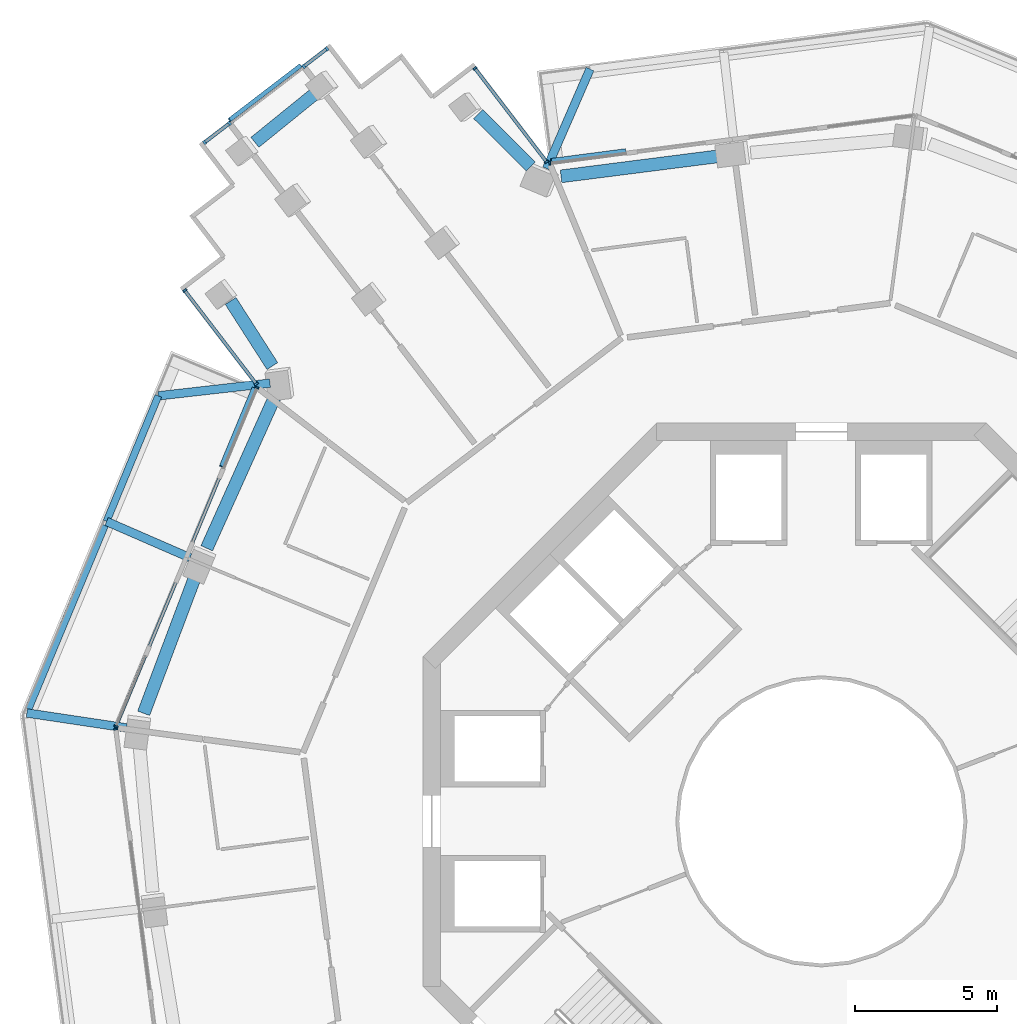
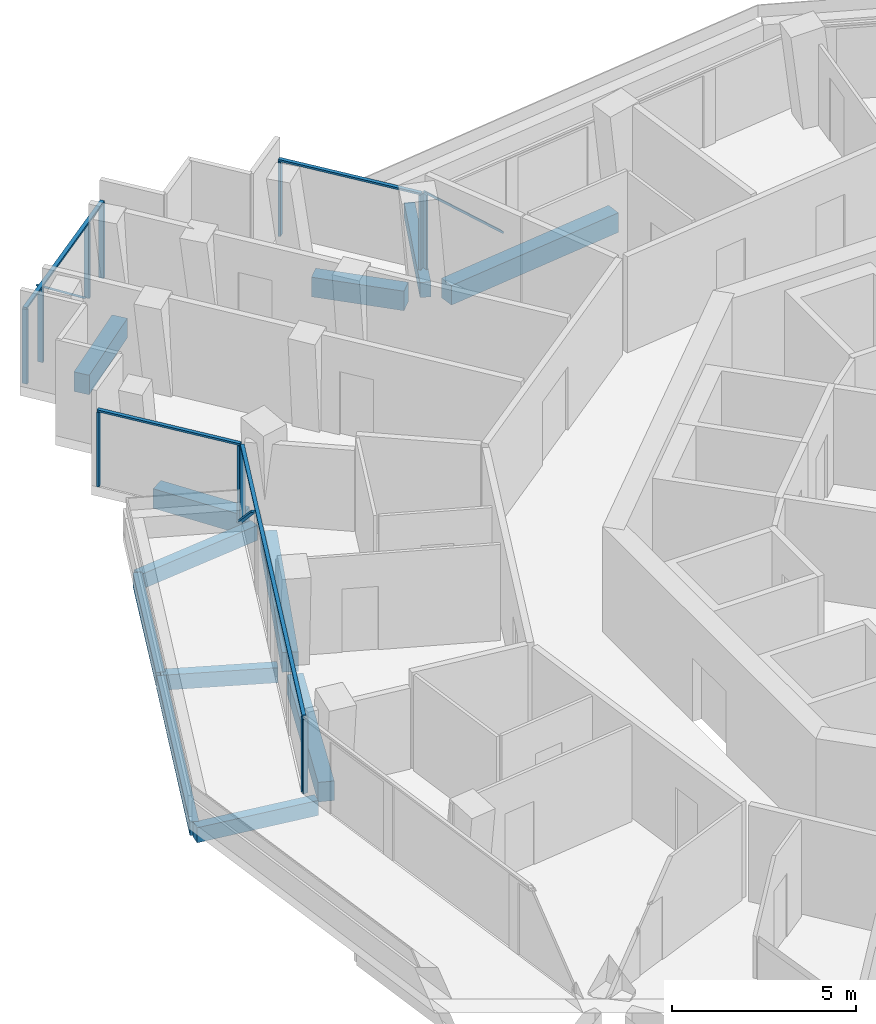
# One storey, part 7 of 25: 19 members, 12 beams, 6 elements without a shape of their own.
"""IFC4 building model written with IfcOpenShell, lengths in metres."""

from ifc_helpers import new_model, si_unit, direction, frame, origin, origin_2d, place, context, subcontext, project, spatial, rectangle, extrude, material, layer, layer_set, material_profile, profile_set, type_object, element, aggregate, save


model = new_model("IFC4")

# Units and contexts
model_context = context("Model", 3, precision=1e-05, world=origin(), true_north=direction((0.0, 1.0)))
body_context = subcontext(model_context, "Body", "Model", "MODEL_VIEW")
ifc_project = project(units=[si_unit("LENGTHUNIT", "METRE"), si_unit("AREAUNIT", "SQUARE_METRE"), si_unit("VOLUMEUNIT", "CUBIC_METRE"), si_unit("PLANEANGLEUNIT", "RADIAN"), si_unit("MASSUNIT", "GRAM", prefix="KILO")], contexts=[model_context])

# Site, building, storey
site_placement = place(None, origin())
site = spatial("IfcSite", under=ifc_project, at=site_placement, CompositionType="ELEMENT")
building_placement = place(site_placement, origin())
building = spatial("IfcBuilding", under=site, at=building_placement, Name="Verdalira Terraces Hotel", CompositionType="ELEMENT")
storey_placement = place(building_placement, frame((0.0, 0.0, 187.0)))
storey = spatial("IfcBuildingStorey", under=building, at=storey_placement, Name="L45", CompositionType="ELEMENT", Elevation=187.0)

# Beams
ifc_material_1 = material(Name="Concrete C40", Category="concrete")
ifc_material_profile_1 = material_profile(ifc_material_1, rectangle(XDim=0.300049, YDim=0.5, at=origin_2d()), Name="RC 300X500")
ifc_profile_set_1 = profile_set([ifc_material_profile_1], Name="Concrete C40")
beam_type_1 = type_object("IfcBeamType", Name="Balcony cantilever beam RC 300X500 C40", PredefinedType="BEAM", material=ifc_profile_set_1)
beam_1_placement = place(storey_placement, frame((-19.389404, 15.408691, -0.560059), z_axis=(-0.993617856, -0.112798743, 0.0), x_axis=(0.112798743, -0.993617856, 0.0)))
element("IfcBeam", 1, at=beam_1_placement, inside=storey, type_object=beam_type_1, Name="Balcony cantilever beam R11-3", PredefinedType="BEAM", context=body_context, shape_type="SweptSolid", body=[
    extrude(rectangle(XDim=0.300049, YDim=0.5, at=origin_2d()), origin(), (0.0, 0.0, 1.0), 3.949951),
])
beam_2_placement = place(storey_placement, frame((-22.200928, 9.268555, -0.560059), z_axis=(-0.916929341, 0.399049602, 0.0), x_axis=(-0.399049602, -0.916929341, 0.0)))
element("IfcBeam", 2, at=beam_2_placement, inside=storey, type_object=beam_type_1, Name="Balcony cantilever beam R11-4", PredefinedType="BEAM", context=body_context, shape_type="SweptSolid", body=[
    extrude(rectangle(XDim=0.300049, YDim=0.5, at=origin_2d()), origin(), (0.0, 0.0, 1.0), 3.200928),
])
beam_3_placement = place(storey_placement, frame((-24.43457, 3.285889, -0.560059), z_axis=(-0.98896513, 0.148148478, 0.0), x_axis=(-0.148148478, -0.98896513, 0.0)))
element("IfcBeam", 3, at=beam_3_placement, inside=storey, type_object=beam_type_1, Name="Balcony cantilever beam R11-5", PredefinedType="BEAM", context=body_context, shape_type="SweptSolid", body=[
    extrude(rectangle(XDim=0.300049, YDim=0.5, at=origin_2d()), origin(), (0.0, 0.0, 1.0), 3.544678),
])
beam_4_placement = place(storey_placement, frame((-9.658936, 22.953613, -0.560059), z_axis=(0.399057933, 0.916925715, 0.0), x_axis=(-0.916925715, 0.399057933, 0.0)))
element("IfcBeam", 4, at=beam_4_placement, inside=storey, type_object=beam_type_1, Name="Balcony cantilever beam R40-5", PredefinedType="BEAM", context=body_context, shape_type="SweptSolid", body=[
    extrude(rectangle(XDim=0.300049, YDim=0.5, at=origin_2d()), origin(), (0.0, 0.0, 1.0), 3.820068),
])
ifc_material_2 = material(Name="Concrete C40", Category="concrete")
ifc_material_profile_2 = material_profile(ifc_material_2, rectangle(XDim=0.25, YDim=0.449951, at=origin_2d()), Name="RC 250X450")
ifc_profile_set_2 = profile_set([ifc_material_profile_2], Name="Concrete C40")
beam_type_2 = type_object("IfcBeamType", Name="Balcony edge beam RC 250X450 C40", PredefinedType="BEAM", material=ifc_profile_set_2)
beam_5_placement = place(storey_placement, frame((-23.314209, 14.963135, -0.534912), z_axis=(-0.381271428, -0.92446314, 0.0), x_axis=(0.92446314, -0.381271428, 0.0)))
element("IfcBeam", 5, at=beam_5_placement, inside=storey, type_object=beam_type_2, Name="Balcony edge beam R11-2", PredefinedType="BEAM", context=body_context, shape_type="SweptSolid", body=[
    extrude(rectangle(XDim=0.25, YDim=0.449951, at=origin_2d()), origin(), (0.0, 0.0, 1.0), 4.778076),
])
beam_6_placement = place(storey_placement, frame((-25.193604, 10.407227, -0.534912), z_axis=(-0.384384744, -0.92317299, 0.0), x_axis=(0.92317299, -0.384384744, 0.0)))
element("IfcBeam", 6, at=beam_6_placement, inside=storey, type_object=beam_type_2, Name="Balcony edge beam R11-3", PredefinedType="BEAM", context=body_context, shape_type="SweptSolid", body=[
    extrude(rectangle(XDim=0.25, YDim=0.449951, at=origin_2d()), origin(), (0.0, 0.0, 1.0), 6.990479),
])

# Curtain wall, members
ifc_material_3 = material(Name="Clear glass", Category="glass")
ifc_layer_1 = layer(ifc_material_3, 0.14990234375)
ifc_layer_set_1 = layer_set([ifc_layer_1], Name="CW1 curtain wall")
curtain_wall_type_1 = type_object("IfcCurtainWallType", Name="CW1 curtain wall", PredefinedType="NOTDEFINED", material=ifc_layer_set_1)
curtain_wall_1_placement = place(storey_placement, origin())
curtain_wall_1 = element("IfcCurtainWall", 7, at=curtain_wall_1_placement, inside=storey, type_object=curtain_wall_type_1, Name="CW1 curtain wall L45 edge 11", PredefinedType="NOTDEFINED")
ifc_material_4 = material(Name="Terracotta frame", Category="masonry")
ifc_material_profile_3 = material_profile(ifc_material_4, rectangle(XDim=0.060059, YDim=0.149902, at=origin_2d()), Name="MU 60x150")
ifc_profile_set_3 = profile_set([ifc_material_profile_3], Name="Terracotta frame")
member_type_1 = type_object("IfcMemberType", Name="CW1 mullion 60x150", PredefinedType="MULLION", material=ifc_profile_set_3)
member_1_placement = place(storey_placement, frame((-19.850586, 15.25293, 0.0), z_axis=(0.0, 0.0, 1.0), x_axis=(-0.383650707, -0.923478281, 0.0)))
member_1 = element("IfcMember", 8, at=member_1_placement, type_object=member_type_1, Name="CW1 mullion", PredefinedType="MULLION", context=body_context, shape_type="SweptSolid", body=[
    extrude(rectangle(XDim=0.060059, YDim=0.149902, at=origin_2d()), origin(), (0.0, 0.0, 1.0), 2.475098),
])
member_2_placement = place(storey_placement, frame((-24.799561, 3.340088, 0.0), z_axis=(0.0, 0.0, 1.0), x_axis=(-0.383650707, -0.923478281, 0.0)))
member_2 = element("IfcMember", 9, at=member_2_placement, type_object=member_type_1, Name="CW1 mullion", PredefinedType="MULLION", context=body_context, shape_type="SweptSolid", body=[
    extrude(rectangle(XDim=0.060059, YDim=0.149902, at=origin_2d()), origin(), (0.0, 0.0, 1.0), 2.475098),
])

# Curtain wall, member
curtain_wall_2_placement = place(storey_placement, origin())
curtain_wall_2 = element("IfcCurtainWall", 10, at=curtain_wall_2_placement, inside=storey, type_object=curtain_wall_type_1, Name="CW1 curtain wall L45 edge 12", PredefinedType="NOTDEFINED")
member_3_placement = place(storey_placement, frame((-24.812256, 3.244141, 0.0), z_axis=(0.0, 0.0, 1.0), x_axis=(0.129487882, -0.991581004, 0.0)))
member_3 = element("IfcMember", 11, at=member_3_placement, type_object=member_type_1, Name="CW1 mullion", PredefinedType="MULLION", context=body_context, shape_type="SweptSolid", body=[
    extrude(rectangle(XDim=0.060059, YDim=0.149902, at=origin_2d()), origin(), (0.0, 0.0, 1.0), 2.475098),
])
aggregate(curtain_wall_2, [member_3])

curtain_wall_3_placement = place(storey_placement, origin())
curtain_wall_3 = element("IfcCurtainWall", 12, at=curtain_wall_3_placement, inside=storey, type_object=curtain_wall_type_1, Name="CW1 curtain wall L45 edge 41", PredefinedType="NOTDEFINED")
member_4_placement = place(storey_placement, frame((-9.546875, 23.141846, 0.0), z_axis=(0.0, 0.0, 1.0), x_axis=(-0.991581004, -0.129487882, 0.0)))
member_4 = element("IfcMember", 13, at=member_4_placement, type_object=member_type_1, Name="CW1 mullion", PredefinedType="MULLION", context=body_context, shape_type="SweptSolid", body=[
    extrude(rectangle(XDim=0.060059, YDim=0.149902, at=origin_2d()), origin(), (0.0, 0.0, 1.0), 2.475098),
])

# Member
ifc_material_5 = material(Name="Terracotta frame", Category="masonry")
ifc_material_profile_4 = material_profile(ifc_material_5, rectangle(XDim=0.110107, YDim=0.064941, at=origin_2d()), Name="TR 65x110")
ifc_profile_set_4 = profile_set([ifc_material_profile_4], Name="Terracotta frame")
member_type_2 = type_object("IfcMemberType", Name="CW1 transom 65x110", PredefinedType="USERDEFINED", material=ifc_profile_set_4)
member_5_placement = place(storey_placement, frame((-19.839111, 15.280518, 2.507568), z_axis=(-0.383645381, -0.923480493, 0.0), x_axis=(0.923480493, -0.383645381, 0.0)))
member_5 = element("IfcMember", 14, at=member_5_placement, type_object=member_type_2, Name="CW1 transom", ObjectType="TRANSOM", PredefinedType="USERDEFINED", context=body_context, shape_type="SweptSolid", body=[
    extrude(rectangle(XDim=0.110107, YDim=0.064941, at=origin_2d()), origin(), (0.0, 0.0, 1.0), 12.959717),
])

# Curtain wall, members
ifc_material_6 = material(Name="Clear glass", Category="glass")
ifc_layer_2 = layer(ifc_material_6, 0.14990234375)
ifc_layer_set_2 = layer_set([ifc_layer_2], Name="CW2 curtain wall")
curtain_wall_type_2 = type_object("IfcCurtainWallType", Name="CW2 curtain wall", PredefinedType="NOTDEFINED", material=ifc_layer_set_2)
curtain_wall_4_placement = place(storey_placement, origin())
curtain_wall_4 = element("IfcCurtainWall", 15, at=curtain_wall_4_placement, inside=storey, type_object=curtain_wall_type_2, Name="CW2 curtain wall L45 edge 0", PredefinedType="NOTDEFINED")
ifc_material_7 = material(Name="Terracotta frame", Category="masonry")
ifc_material_profile_5 = material_profile(ifc_material_7, rectangle(XDim=0.070068, YDim=0.149902, at=origin_2d()), Name="MU 70x150")
ifc_profile_set_5 = profile_set([ifc_material_profile_5], Name="Terracotta frame")
member_type_3 = type_object("IfcMemberType", Name="CW2 mullion 70x150", PredefinedType="MULLION", material=ifc_profile_set_5)
member_6_placement = place(storey_placement, frame((-9.667236, 23.19458, 0.0), z_axis=(0.0, 0.0, 1.0), x_axis=(-0.607930298, 0.793990399, 0.0)))
member_6 = element("IfcMember", 16, at=member_6_placement, type_object=member_type_3, Name="CW2 mullion", PredefinedType="MULLION", context=body_context, shape_type="SweptSolid", body=[
    extrude(rectangle(XDim=0.070068, YDim=0.149902, at=origin_2d()), origin(), (0.0, 0.0, 1.0), 2.475098),
])
member_7_placement = place(storey_placement, frame((-12.182861, 26.47998, 0.0), z_axis=(0.0, 0.0, 1.0), x_axis=(-0.607930298, 0.793990399, 0.0)))
member_7 = element("IfcMember", 17, at=member_7_placement, type_object=member_type_3, Name="CW2 mullion", PredefinedType="MULLION", context=body_context, shape_type="SweptSolid", body=[
    extrude(rectangle(XDim=0.070068, YDim=0.149902, at=origin_2d()), origin(), (0.0, 0.0, 1.0), 2.475098),
])

curtain_wall_5_placement = place(storey_placement, origin())
curtain_wall_5 = element("IfcCurtainWall", 18, at=curtain_wall_5_placement, inside=storey, type_object=curtain_wall_type_2, Name="CW2 curtain wall L45 edge 10", PredefinedType="NOTDEFINED")
member_8_placement = place(storey_placement, frame((-22.385498, 18.668213, 0.0), z_axis=(0.0, 0.0, 1.0), x_axis=(0.607930298, -0.793990399, 0.0)))
member_8 = element("IfcMember", 19, at=member_8_placement, type_object=member_type_3, Name="CW2 mullion", PredefinedType="MULLION", context=body_context, shape_type="SweptSolid", body=[
    extrude(rectangle(XDim=0.070068, YDim=0.149902, at=origin_2d()), origin(), (0.0, 0.0, 1.0), 2.475098),
])
member_9_placement = place(storey_placement, frame((-19.870117, 15.382812, 0.0), z_axis=(0.0, 0.0, 1.0), x_axis=(0.607930298, -0.793990399, 0.0)))
member_9 = element("IfcMember", 20, at=member_9_placement, type_object=member_type_3, Name="CW2 mullion", PredefinedType="MULLION", context=body_context, shape_type="SweptSolid", body=[
    extrude(rectangle(XDim=0.070068, YDim=0.149902, at=origin_2d()), origin(), (0.0, 0.0, 1.0), 2.475098),
])

# Member
ifc_material_8 = material(Name="Terracotta frame", Category="masonry")
ifc_material_profile_6 = material_profile(ifc_material_8, rectangle(XDim=0.11499, YDim=0.064941, at=origin_2d()), Name="TR 65x115")
ifc_profile_set_6 = profile_set([ifc_material_profile_6], Name="Terracotta frame")
member_type_4 = type_object("IfcMemberType", Name="CW2 transom 65x115", PredefinedType="USERDEFINED", material=ifc_profile_set_6)
member_10_placement = place(storey_placement, frame((-9.645996, 23.166748, 2.507568), z_axis=(-0.607925934, 0.79399374, 0.0), x_axis=(-0.79399374, -0.607925934, 0.0)))
member_10 = element("IfcMember", 21, at=member_10_placement, type_object=member_type_4, Name="CW2 transom", ObjectType="TRANSOM", PredefinedType="USERDEFINED", context=body_context, shape_type="SweptSolid", body=[
    extrude(rectangle(XDim=0.11499, YDim=0.064941, at=origin_2d()), origin(), (0.0, 0.0, 1.0), 4.208008),
])

aggregate(curtain_wall_4, [member_6, member_7, member_10])

member_11_placement = place(storey_placement, frame((-22.406982, 18.696045, 2.507568), z_axis=(0.607925934, -0.79399374, 0.0), x_axis=(0.79399374, 0.607925934, 0.0)))
member_11 = element("IfcMember", 22, at=member_11_placement, type_object=member_type_4, Name="CW2 transom", ObjectType="TRANSOM", PredefinedType="USERDEFINED", context=body_context, shape_type="SweptSolid", body=[
    extrude(rectangle(XDim=0.11499, YDim=0.064941, at=origin_2d()), origin(), (0.0, 0.0, 1.0), 4.208008),
])

aggregate(curtain_wall_5, [member_8, member_9, member_11])

# Curtain wall, members
ifc_material_9 = material(Name="Clear glass", Category="glass")
ifc_layer_3 = layer(ifc_material_9, 0.14990234375)
ifc_layer_set_3 = layer_set([ifc_layer_3], Name="CW3 curtain wall")
curtain_wall_type_3 = type_object("IfcCurtainWallType", Name="CW3 curtain wall", PredefinedType="NOTDEFINED", material=ifc_layer_set_3)
curtain_wall_6_placement = place(storey_placement, origin())
curtain_wall_6 = element("IfcCurtainWall", 23, at=curtain_wall_6_placement, inside=storey, type_object=curtain_wall_type_3, Name="CW3 curtain wall L45 edge 5", PredefinedType="NOTDEFINED")
ifc_material_10 = material(Name="Terracotta frame", Category="masonry")
ifc_material_profile_7 = material_profile(ifc_material_10, rectangle(XDim=0.080078, YDim=0.149902, at=origin_2d()), Name="MU 80x150")
ifc_profile_set_7 = profile_set([ifc_material_profile_7], Name="Terracotta frame")
member_type_5 = type_object("IfcMemberType", Name="CW3 mullion 80x150", PredefinedType="MULLION", material=ifc_profile_set_7)
member_12_placement = place(storey_placement, frame((-17.387939, 27.167236, 0.0), z_axis=(0.0, 0.0, 1.0), x_axis=(-0.793990399, -0.607930298, 0.0)))
member_12 = element("IfcMember", 24, at=member_12_placement, type_object=member_type_5, Name="CW3 mullion", PredefinedType="MULLION", context=body_context, shape_type="SweptSolid", body=[
    extrude(rectangle(XDim=0.080078, YDim=0.149902, at=origin_2d()), origin(), (0.0, 0.0, 1.0), 2.475098),
])
member_13_placement = place(storey_placement, frame((-18.202393, 26.543701, 0.0), z_axis=(0.0, 0.0, 1.0), x_axis=(-0.793990399, -0.607930298, 0.0)))
member_13 = element("IfcMember", 25, at=member_13_placement, type_object=member_type_5, Name="CW3 mullion", PredefinedType="MULLION", context=body_context, shape_type="SweptSolid", body=[
    extrude(rectangle(XDim=0.080078, YDim=0.149902, at=origin_2d()), origin(), (0.0, 0.0, 1.0), 2.475098),
])
member_14_placement = place(storey_placement, frame((-20.812012, 24.545654, 0.0), z_axis=(0.0, 0.0, 1.0), x_axis=(-0.793990399, -0.607930298, 0.0)))
member_14 = element("IfcMember", 26, at=member_14_placement, type_object=member_type_5, Name="CW3 mullion", PredefinedType="MULLION", context=body_context, shape_type="SweptSolid", body=[
    extrude(rectangle(XDim=0.080078, YDim=0.149902, at=origin_2d()), origin(), (0.0, 0.0, 1.0), 2.475098),
])
member_15_placement = place(storey_placement, frame((-21.691406, 23.872314, 0.0), z_axis=(0.0, 0.0, 1.0), x_axis=(-0.793990399, -0.607930298, 0.0)))
member_15 = element("IfcMember", 27, at=member_15_placement, type_object=member_type_5, Name="CW3 mullion", PredefinedType="MULLION", context=body_context, shape_type="SweptSolid", body=[
    extrude(rectangle(XDim=0.080078, YDim=0.149902, at=origin_2d()), origin(), (0.0, 0.0, 1.0), 2.475098),
])
ifc_material_11 = material(Name="Terracotta frame", Category="masonry")
ifc_material_profile_8 = material_profile(ifc_material_11, rectangle(XDim=0.120117, YDim=0.064941, at=origin_2d()), Name="TR 65x120")
ifc_profile_set_8 = profile_set([ifc_material_profile_8], Name="Terracotta frame")
member_type_6 = type_object("IfcMemberType", Name="CW3 transom 65x120", PredefinedType="USERDEFINED", material=ifc_profile_set_8)
member_16_placement = place(storey_placement, frame((-17.356201, 27.19165, 2.507568), z_axis=(-0.793978437, -0.60794592, 0.0), x_axis=(0.60794592, -0.793978437, 0.0)))
member_16 = element("IfcMember", 28, at=member_16_placement, type_object=member_type_6, Name="CW3 transom", ObjectType="TRANSOM", PredefinedType="USERDEFINED", context=body_context, shape_type="SweptSolid", body=[
    extrude(rectangle(XDim=0.120117, YDim=0.064941, at=origin_2d()), origin(), (0.0, 0.0, 1.0), 5.5),
])
ifc_material_12 = material(Name="Terracotta frame", Category="masonry")
ifc_material_profile_9 = material_profile(ifc_material_12, rectangle(XDim=0.149902, YDim=0.060059, at=origin_2d()), Name="GB 60x150")
ifc_profile_set_9 = profile_set([ifc_material_profile_9], Name="Terracotta frame")
member_type_7 = type_object("IfcMemberType", Name="Diagonal glazing bar 60x150", PredefinedType="USERDEFINED", material=ifc_profile_set_9)
member_17_placement = place(storey_placement, frame((-18.316406, 26.573486, 0.024902), z_axis=(-0.628551494, -0.481225126, 0.611019964), x_axis=(0.607902848, -0.794011415, 0.0)))
member_17 = element("IfcMember", 29, at=member_17_placement, type_object=member_type_7, Name="Diagonal glazing bar", ObjectType="GLAZING BAR", PredefinedType="USERDEFINED", context=body_context, shape_type="SweptSolid", body=[
    extrude(rectangle(XDim=0.149902, YDim=0.060059, at=origin_2d()), origin(), (0.0, 0.0, 1.0), 3.96875),
])
aggregate(curtain_wall_6, [member_12, member_13, member_14, member_15, member_16, member_17])

# Member
member_18_placement = place(storey_placement, frame((-19.955811, 15.231445, 0.024414), z_axis=(-0.297544877, -0.716128188, 0.631369515), x_axis=(0.923461882, -0.383690178, 0.0)))
member_18 = element("IfcMember", 30, at=member_18_placement, type_object=member_type_7, Name="Diagonal glazing bar", ObjectType="GLAZING BAR", PredefinedType="USERDEFINED", context=body_context, shape_type="SweptSolid", body=[
    extrude(rectangle(XDim=0.149902, YDim=0.060059, at=origin_2d()), origin(), (0.0, 0.0, 1.0), 3.842529),
])

aggregate(curtain_wall_1, [member_1, member_2, member_5, member_18])

member_19_placement = place(storey_placement, frame((-6.897705, 23.577637, 0.023438), z_axis=(-0.728298855, -0.095114166, 0.678626608), x_axis=(0.129498039, -0.991579678, 0.0)))
member_19 = element("IfcMember", 31, at=member_19_placement, type_object=member_type_7, Name="Diagonal glazing bar", ObjectType="GLAZING BAR", PredefinedType="USERDEFINED", context=body_context, shape_type="SweptSolid", body=[
    extrude(rectangle(XDim=0.149902, YDim=0.060059, at=origin_2d()), origin(), (0.0, 0.0, 1.0), 3.578125),
])

aggregate(curtain_wall_3, [member_4, member_19])

# Beams
ifc_material_13 = material(Name="Concrete C50", Category="concrete")
ifc_material_profile_10 = material_profile(ifc_material_13, rectangle(XDim=0.449951, YDim=0.649902, at=origin_2d()), Name="RC 450X650")
ifc_profile_set_10 = profile_set([ifc_material_profile_10], Name="Concrete C50")
beam_type_3 = type_object("IfcBeamType", Name="Spandrel beam RC 450X650 C50", PredefinedType="SPANDREL", material=ifc_profile_set_10)
beam_7_placement = place(storey_placement, frame((-10.217041, 23.032471, -0.63501), z_axis=(-0.709770759, 0.704432729, 0.0), x_axis=(-0.704432729, -0.709770759, 0.0)))
element("IfcBeam", 32, at=beam_7_placement, inside=storey, type_object=beam_type_3, Name="Spandrel beam B01", PredefinedType="SPANDREL", context=body_context, shape_type="SweptSolid", body=[
    extrude(rectangle(XDim=0.449951, YDim=0.649902, at=origin_2d()), origin(), (0.0, 0.0, 1.0), 2.606934),
])
beam_8_placement = place(storey_placement, frame((-17.666016, 25.703613, -0.63501), z_axis=(-0.777119438, -0.629353143, 0.0), x_axis=(0.629353143, -0.777119438, 0.0)))
element("IfcBeam", 33, at=beam_8_placement, inside=storey, type_object=beam_type_3, Name="Spandrel beam B02", PredefinedType="SPANDREL", context=body_context, shape_type="SweptSolid", body=[
    extrude(rectangle(XDim=0.449951, YDim=0.649902, at=origin_2d()), origin(), (0.0, 0.0, 1.0), 2.901367),
])
beam_9_placement = place(storey_placement, frame((-20.772705, 18.300781, -0.63501), z_axis=(0.539387226, -0.842057849, 0.0), x_axis=(0.842057849, 0.539387226, 0.0)))
element("IfcBeam", 34, at=beam_9_placement, inside=storey, type_object=beam_type_3, Name="Spandrel beam B03", PredefinedType="SPANDREL", context=body_context, shape_type="SweptSolid", body=[
    extrude(rectangle(XDim=0.449951, YDim=0.649902, at=origin_2d()), origin(), (0.0, 0.0, 1.0), 2.720703),
])
beam_10_placement = place(storey_placement, frame((-19.228027, 14.905029, -0.63501), z_axis=(-0.41020228, -0.911994566, 0.0), x_axis=(0.911994566, -0.41020228, 0.0)))
element("IfcBeam", 35, at=beam_10_placement, inside=storey, type_object=beam_type_3, Name="Spandrel beam B04", PredefinedType="SPANDREL", context=body_context, shape_type="SweptSolid", body=[
    extrude(rectangle(XDim=0.449951, YDim=0.649902, at=origin_2d()), origin(), (0.0, 0.0, 1.0), 5.813721),
])
beam_11_placement = place(storey_placement, frame((-22.00293, 8.656494, -0.63501), z_axis=(-0.352422349, -0.935841059, 0.0), x_axis=(0.935841059, -0.352422349, 0.0)))
element("IfcBeam", 36, at=beam_11_placement, inside=storey, type_object=beam_type_3, Name="Spandrel beam B05", PredefinedType="SPANDREL", context=body_context, shape_type="SweptSolid", body=[
    extrude(rectangle(XDim=0.449951, YDim=0.649902, at=origin_2d()), origin(), (0.0, 0.0, 1.0), 5.189453),
])
beam_12_placement = place(storey_placement, frame((-3.493408, 23.403809, -0.63501), z_axis=(-0.991971489, -0.126461712, 0.0), x_axis=(0.126461712, -0.991971489, 0.0)))
element("IfcBeam", 37, at=beam_12_placement, inside=storey, type_object=beam_type_3, Name="Spandrel beam B23", PredefinedType="SPANDREL", context=body_context, shape_type="SweptSolid", body=[
    extrude(rectangle(XDim=0.449951, YDim=0.649902, at=origin_2d()), origin(), (0.0, 0.0, 1.0), 5.706787),
])

save(model, "model.ifc")
